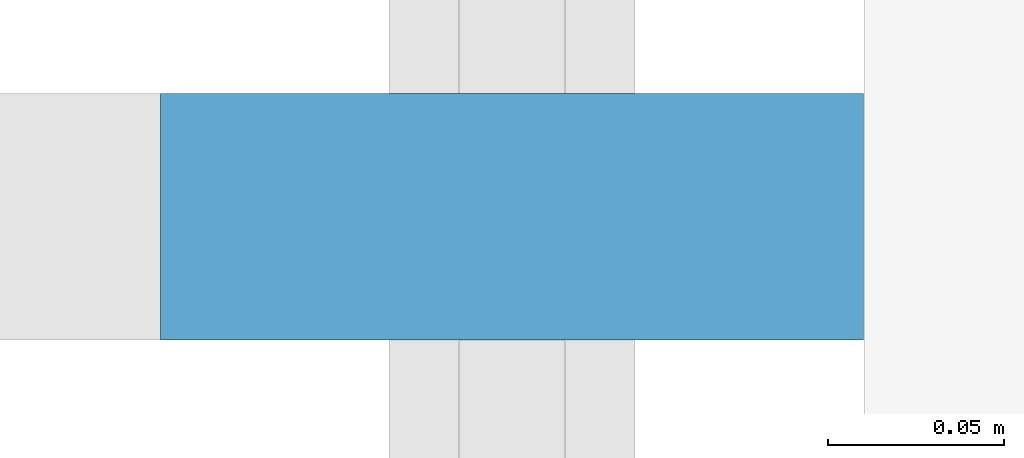
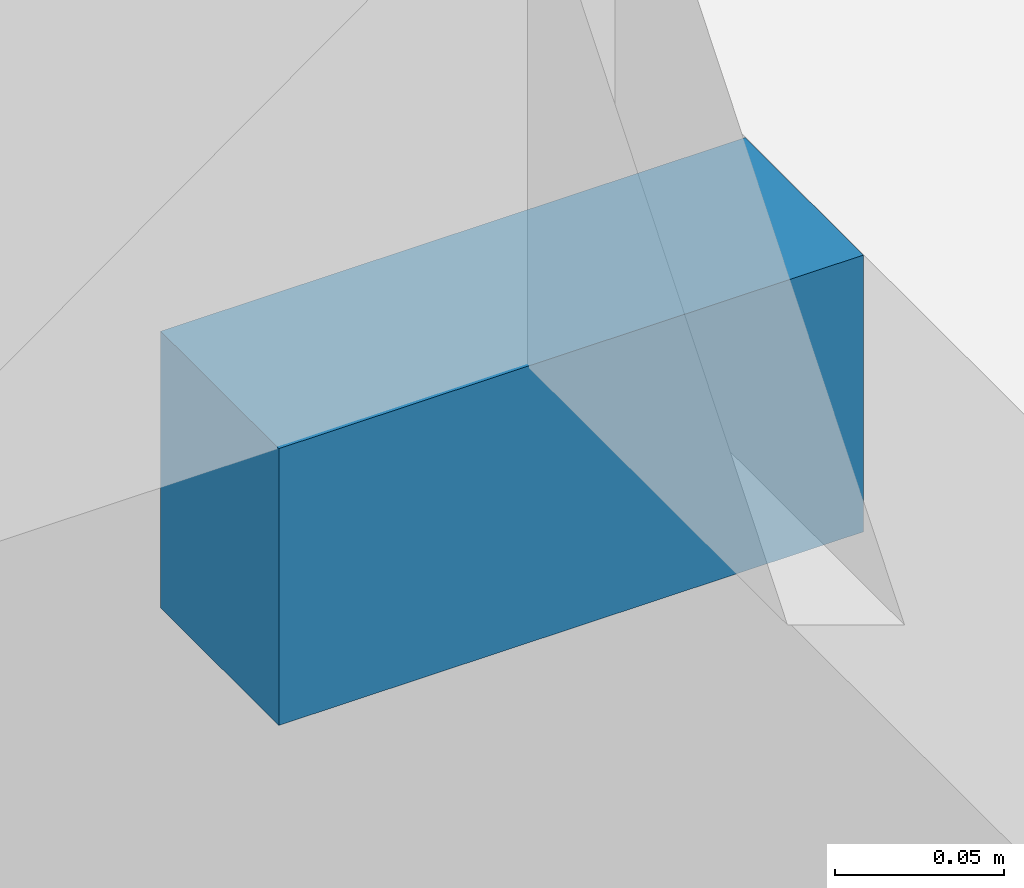
# One storey, part 12 of 17: 1 discrete accessory.
"""IFC4 building model written with IfcOpenShell, lengths in metres."""

from ifc_helpers import new_model, si_unit, direction, frame, origin, origin_2d, place, context, subcontext, project, spatial, rectangle, extrude, element, save


model = new_model("IFC4")

# Units and contexts
model_context = context("Model", 3, precision=1e-05, world=origin(), true_north=direction((0.0, 1.0)))
body_context = subcontext(model_context, "Body", "Model", "MODEL_VIEW")
ifc_project = project(units=[si_unit("LENGTHUNIT", "METRE"), si_unit("AREAUNIT", "SQUARE_METRE"), si_unit("VOLUMEUNIT", "CUBIC_METRE"), si_unit("PLANEANGLEUNIT", "RADIAN"), si_unit("MASSUNIT", "GRAM", prefix="KILO")], contexts=[model_context])

# Site, building, storey
site_placement = place(None, origin())
site = spatial("IfcSite", under=ifc_project, at=site_placement, CompositionType="ELEMENT")
building_placement = place(site_placement, origin())
building = spatial("IfcBuilding", under=site, at=building_placement, Name="Daluyong Arena Tower", CompositionType="ELEMENT")
storey_placement = place(building_placement, frame((0.0, 0.0, 185.5)))
storey = spatial("IfcBuildingStorey", under=building, at=storey_placement, Name="L41", CompositionType="ELEMENT", Elevation=185.5)

# Discrete accessory
discrete_accessory_placement = place(storey_placement, frame((34.25, 87.386474609375, -0.10009765625), z_axis=(0.0, 0.0, 1.0), x_axis=(0.0, -1.0, 0.0)))
element("IfcDiscreteAccessory", 1, at=discrete_accessory_placement, inside=storey, Name="curtain wall L41 W anchor bracket 4", PredefinedType="BRACKET", context=body_context, shape_type="SweptSolid", body=[
    extrude(rectangle(XDim=0.070068359375, YDim=0.199951171875, at=origin_2d()), origin(), (0.0, 0.0, 1.0), 0.10009765625),
])

save(model, "model.ifc")
